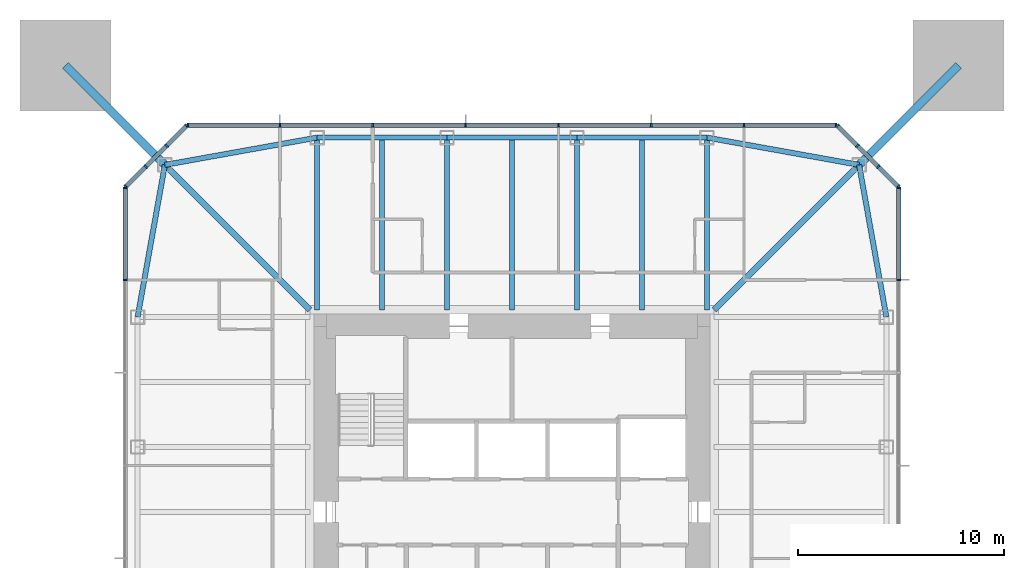
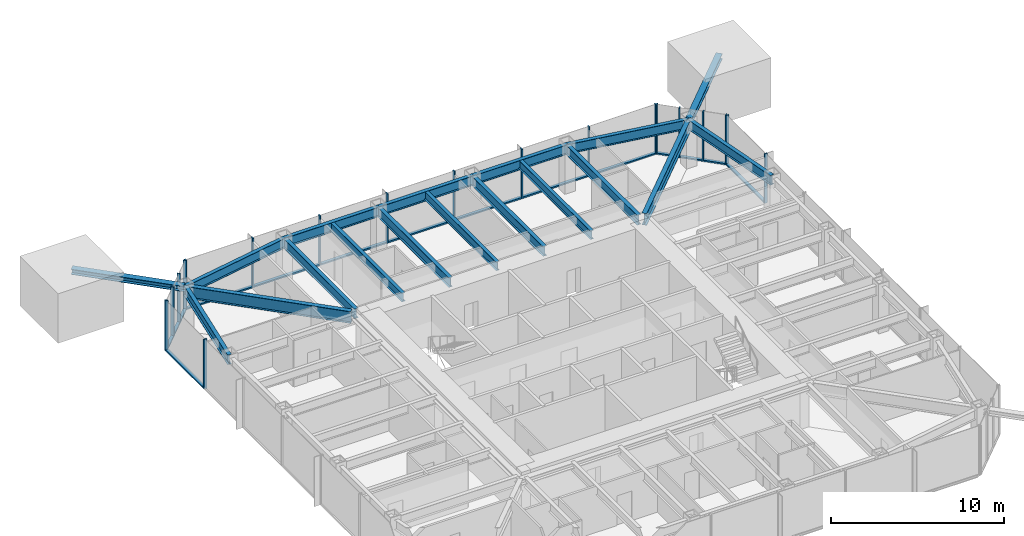
# One storey, part 4 of 11: 37 members, 16 beams, 5 elements without a shape of their own.
"""IFC4 building model written with IfcOpenShell, lengths in metres."""

import ifcopenshell
import ifcopenshell.guid

model = None  # the IFC model being written
_history = None  # IfcOwnerHistory: only IFC2X3 demands one
_inside = {}  # id of a spatial element -> (the spatial element, [elements in it])
_under = {}  # id of a project, library or spatial element -> (it, [spatial elements below it])
_declared = {}  # id of a project -> (the project, [libraries it declares])
_typed = {}  # id of a type object -> (the type object, [elements of that type])
_made_of = {}  # id of a material, layer set ... -> (it, [elements and type objects made of it])


def new_model(schema):
    """Start an empty IFC model of exactly this schema.

    Asked for "IFC4X3", IfcOpenShell would pick the latest addendum, in which some entities
    have other attributes; the version numbers below select the first issue.
    IFC2X3 requires an IfcOwnerHistory on every rooted entity: one is made here for all.
    """
    global model, _history
    if schema == "IFC4X3":
        model = ifcopenshell.file(schema_version=(4, 3, 0, 0))
    else:
        model = ifcopenshell.file(schema=schema)
    _inside.clear()
    _under.clear()
    _declared.clear()
    _typed.clear()
    _made_of.clear()
    _history = None
    if model.schema == "IFC2X3":
        org = make("IfcOrganization", Name="unknown")
        user = make(
            "IfcPersonAndOrganization",
            ThePerson=make("IfcPerson", FamilyName="unknown"),
            TheOrganization=org,
        )
        app = make(
            "IfcApplication",
            ApplicationDeveloper=org,
            Version="unknown",
            ApplicationFullName="unknown",
            ApplicationIdentifier="unknown",
        )
        _history = make(
            "IfcOwnerHistory",
            OwningUser=user,
            OwningApplication=app,
            ChangeAction="ADDED",
            CreationDate=0,
        )
    return model


def make(cls, **values):
    """One entity of the class cls with the attributes given. An attribute that is None is left unset."""
    return model.create_entity(
        cls, **{name: value for name, value in values.items() if value is not None}
    )


def rooted(cls, **values):
    """An entity with a GlobalId (a new one), such as an element, a storey or a relation."""
    return make(cls, GlobalId=ifcopenshell.guid.new(), OwnerHistory=_history, **values)


def si_unit(unit_type, name, prefix=None):
    """IfcSIUnit, for example si_unit("LENGTHUNIT", "METRE", prefix="MILLI")."""
    return make("IfcSIUnit", UnitType=unit_type, Prefix=prefix, Name=name)


def assignment(units):
    """IfcUnitAssignment: the units of a project."""
    return None if units is None else make("IfcUnitAssignment", Units=units)


def point(xyz):
    """IfcCartesianPoint."""
    return None if xyz is None else make("IfcCartesianPoint", Coordinates=xyz)


def direction(xyz):
    """IfcDirection."""
    return None if xyz is None else make("IfcDirection", DirectionRatios=xyz)


def frame(location, z_axis=None, x_axis=None):
    """IfcAxis2Placement3D, a coordinate frame: its origin and axes. An axis left out is left unset."""
    return make(
        "IfcAxis2Placement3D",
        Location=point(location),
        Axis=direction(z_axis),
        RefDirection=direction(x_axis),
    )


def frame_2d(location, x_axis=None):
    """IfcAxis2Placement2D, a coordinate frame in the plane: its origin and x axis."""
    return make(
        "IfcAxis2Placement2D", Location=point(location), RefDirection=direction(x_axis)
    )


def origin():
    """The frame at (0, 0, 0) with its axes left unset."""
    return frame((0.0, 0.0, 0.0))


def origin_2d():
    """The frame at (0, 0) in the plane with its x axis left unset."""
    return frame_2d((0.0, 0.0))


def place(relative_to, where):
    """IfcLocalPlacement: puts the frame where relative to a parent placement (None: the world)."""
    return make(
        "IfcLocalPlacement", PlacementRelTo=relative_to, RelativePlacement=where
    )


def context(
    kind, dimensions, precision=None, world=None, true_north=None, identifier=None
):
    """IfcGeometricRepresentationContext, for example the 3D "Model" context."""
    return make(
        "IfcGeometricRepresentationContext",
        ContextIdentifier=identifier,
        ContextType=kind,
        CoordinateSpaceDimension=dimensions,
        Precision=precision,
        WorldCoordinateSystem=world,
        TrueNorth=true_north,
    )


def subcontext(parent, identifier, kind, view, scale=None):
    """IfcGeometricRepresentationSubContext, for example "Body" below "Model"."""
    return make(
        "IfcGeometricRepresentationSubContext",
        ContextIdentifier=identifier,
        ContextType=kind,
        ParentContext=parent,
        TargetScale=scale,
        TargetView=view,
    )


def project(units=None, contexts=None):
    """IfcProject with its units and contexts."""
    return rooted(
        "IfcProject",
        Name="project",
        RepresentationContexts=contexts,
        UnitsInContext=assignment(units),
    )


def spatial(cls, under=None, at=None, **own):
    """A site, building, storey or space (cls), placed at a placement, below another one or the project."""
    s = rooted(cls, ObjectPlacement=at, **own)
    if under is not None:
        _under.setdefault(under.id(), (under, []))[1].append(s)
    return s


def profile(cls, at=None, kind="AREA", **sizes):
    """A parametric profile (cls). Its sizes go by their IFC names, for example OverallWidth=200.0."""
    return make(cls, ProfileType=kind, Position=at, **sizes)


def rectangle(**sizes):
    """IfcRectangleProfileDef."""
    return profile("IfcRectangleProfileDef", **sizes)


def i_section(**sizes):
    """IfcIShapeProfileDef."""
    return profile("IfcIShapeProfileDef", **sizes)


def extrude(swept, where, along, depth):
    """IfcExtrudedAreaSolid: the profile swept, set in the frame where, extruded along a direction by depth."""
    return make(
        "IfcExtrudedAreaSolid",
        SweptArea=swept,
        Position=where,
        ExtrudedDirection=direction(along),
        Depth=depth,
    )


def shape(context_of_items, identifier, shape_type, items):
    """IfcShapeRepresentation: the items that make up one representation, for example the "Body"."""
    return make(
        "IfcShapeRepresentation",
        ContextOfItems=context_of_items,
        RepresentationIdentifier=identifier,
        RepresentationType=shape_type,
        Items=items,
    )


def material(Name=None, Category=None):
    """IfcMaterial."""
    return make("IfcMaterial", Name=Name, Category=Category)


def material_profile(
    of_material, cross_section, Name=None, Category=None, Priority=None
):
    """IfcMaterialProfile: a cross section and its material."""
    return make(
        "IfcMaterialProfile",
        Name=Name,
        Material=of_material,
        Profile=cross_section,
        Priority=Priority,
        Category=Category,
    )


def profile_set(profiles, Name=None, composite=None):
    """IfcMaterialProfileSet."""
    return make(
        "IfcMaterialProfileSet",
        Name=Name,
        MaterialProfiles=profiles,
        CompositeProfile=composite,
    )


def made_of(thing, what):
    """Note that an element or type object is made of a material, layer set ...; save() writes the relation."""
    if what is not None:
        _made_of.setdefault(what.id(), (what, []))[1].append(thing)
    return thing


def type_object(cls, material=None, **own):
    """A type object (cls), such as IfcWallType, which elements share."""
    return made_of(rooted(cls, **own), material)


def element(
    cls,
    number,
    at=None,
    inside=None,
    cuts=None,
    type_object=None,
    material=None,
    context=None,
    identifier="Body",
    shape_type=None,
    held_by="IfcProductDefinitionShape",
    body=None,
    shapes=None,
    **own,
):
    """One element of the class cls, such as IfcWall. Its Tag is "e" and its number.

    at: its placement. inside: the storey or other place that contains it. cuts: it is an
    opening in that element (IfcRelVoidsElement). A single representation is given by context,
    identifier, shape_type and body (its items); several are given by shapes. held_by: the class
    of the entity that holds the representations. save() writes the other relations.
    """
    e = rooted(cls, Tag="e%d" % number, ObjectPlacement=at, **own)
    if body is not None:
        shapes = [shape(context, identifier, shape_type, body)]
    if shapes is not None:
        e.Representation = make(held_by, Representations=shapes)
    if inside is not None:
        _inside.setdefault(inside.id(), (inside, []))[1].append(e)
    if cuts is not None:
        rooted(
            "IfcRelVoidsElement", RelatingBuildingElement=cuts, RelatedOpeningElement=e
        )
    if type_object is not None:
        _typed.setdefault(type_object.id(), (type_object, []))[1].append(e)
    return made_of(e, material)


def aggregate(whole, parts):
    """IfcRelAggregates: a whole, such as a stair, and the parts it consists of."""
    return rooted("IfcRelAggregates", RelatingObject=whole, RelatedObjects=parts)


def save(model, path):
    """Write the relations noted so far, then the file.

    IfcRelAggregates (storeys below a building ...), IfcRelContainedInSpatialStructure (elements
    in a storey), IfcRelDefinesByType, IfcRelAssociatesMaterial and IfcRelDeclares: one each for
    every whole, place, type object, material and project.
    """
    for whole, parts in _under.values():
        aggregate(whole, parts)
    for where, things in _inside.values():
        rooted(
            "IfcRelContainedInSpatialStructure",
            RelatedElements=things,
            RelatingStructure=where,
        )
    for kind, things in _typed.values():
        rooted("IfcRelDefinesByType", RelatedObjects=things, RelatingType=kind)
    for what, things in _made_of.values():
        rooted("IfcRelAssociatesMaterial", RelatedObjects=things, RelatingMaterial=what)
    for by, libraries in _declared.values():
        rooted("IfcRelDeclares", RelatingContext=by, RelatedDefinitions=libraries)
    model.write(path)


model = new_model("IFC4")

# Units and contexts
model_context = context("Model", 3, precision=1e-05, world=origin(), true_north=direction((0.0, 1.0)))
body_context = subcontext(model_context, "Body", "Model", "MODEL_VIEW")
ifc_project = project(units=[si_unit("LENGTHUNIT", "METRE"), si_unit("AREAUNIT", "SQUARE_METRE"), si_unit("VOLUMEUNIT", "CUBIC_METRE"), si_unit("PLANEANGLEUNIT", "RADIAN"), si_unit("MASSUNIT", "GRAM", prefix="KILO")], contexts=[model_context])

# Site, building, storey
site_placement = place(None, origin())
site = spatial("IfcSite", under=ifc_project, at=site_placement, CompositionType="ELEMENT")
building_placement = place(site_placement, origin())
building = spatial("IfcBuilding", under=site, at=building_placement, Name="Iwan Alto Co-Living Towers", CompositionType="ELEMENT")
storey_placement = place(building_placement, frame((0.0, 0.0, 195.0)))
storey = spatial("IfcBuildingStorey", under=building, at=storey_placement, Name="L53", CompositionType="ELEMENT", Elevation=195.0)

# Curtain wall, members
ifc_material_1 = material(Name="Bronze aluminium unitised frame", Category="aluminium")
curtain_wall_type_1 = type_object("IfcCurtainWallType", Name="CURTAIN WALL CW-A", PredefinedType="NOTDEFINED", material=ifc_material_1)
curtain_wall_1_placement = place(storey_placement, origin())
curtain_wall_1 = element("IfcCurtainWall", 1, at=curtain_wall_1_placement, inside=storey, type_object=curtain_wall_type_1, Name="T1 curtain wall E L53", PredefinedType="NOTDEFINED")
ifc_material_2 = material(Name="Aluminium 6063-T6 bronze anodised", Category="aluminium")
ifc_material_profile_1 = material_profile(ifc_material_2, rectangle(XDim=0.199951171875, YDim=0.080078125, at=origin_2d()), Name="AL 80X200")
ifc_profile_set_1 = profile_set([ifc_material_profile_1], Name="Aluminium 6063-T6 bronze anodised")
member_type_1 = type_object("IfcMemberType", Name="CW-A MULLION 80X200", PredefinedType="MULLION", material=ifc_profile_set_1)
member_1_placement = place(storey_placement, frame((18.75, 11.25, 0.0), z_axis=(0.0, 0.0, 1.0), x_axis=(-1.0, 0.0, 0.0)))
member_1 = element("IfcMember", 2, at=member_1_placement, type_object=member_type_1, Name="CW-A mullion 7", PredefinedType="MULLION", context=body_context, shape_type="SweptSolid", body=[
    extrude(rectangle(XDim=0.199951171875, YDim=0.080078125, at=origin_2d()), origin(), (0.0, 0.0, 1.0), 3.5),
])
member_2_placement = place(storey_placement, frame((18.75, 15.7099609375, 0.0), z_axis=(0.0, 0.0, 1.0), x_axis=(-1.0, 0.0, 0.0)))
member_2 = element("IfcMember", 3, at=member_2_placement, type_object=member_type_1, Name="CW-A mullion 8", PredefinedType="MULLION", context=body_context, shape_type="SweptSolid", body=[
    extrude(rectangle(XDim=0.199951171875, YDim=0.080078125, at=origin_2d()), origin(), (0.0, 0.0, 1.0), 3.5),
])

curtain_wall_2_placement = place(storey_placement, origin())
curtain_wall_2 = element("IfcCurtainWall", 4, at=curtain_wall_2_placement, inside=storey, type_object=curtain_wall_type_1, Name="T1 curtain wall N L53", PredefinedType="NOTDEFINED")
member_3_placement = place(storey_placement, frame((15.7099609375, 18.75, 0.0), z_axis=(0.0, 0.0, 1.0), x_axis=(0.0, -1.0, 0.0)))
member_3 = element("IfcMember", 5, at=member_3_placement, type_object=member_type_1, Name="CW-A mullion 1", PredefinedType="MULLION", context=body_context, shape_type="SweptSolid", body=[
    extrude(rectangle(XDim=0.199951171875, YDim=0.080078125, at=origin_2d()), origin(), (0.0, 0.0, 1.0), 3.5),
])
member_4_placement = place(storey_placement, frame((11.25, 18.75, 0.0), z_axis=(0.0, 0.0, 1.0), x_axis=(0.0, -1.0, 0.0)))
member_4 = element("IfcMember", 6, at=member_4_placement, type_object=member_type_1, Name="CW-A mullion 2", PredefinedType="MULLION", context=body_context, shape_type="SweptSolid", body=[
    extrude(rectangle(XDim=0.199951171875, YDim=0.080078125, at=origin_2d()), origin(), (0.0, 0.0, 1.0), 3.5),
])
member_5_placement = place(storey_placement, frame((6.75, 18.75, 0.0), z_axis=(0.0, 0.0, 1.0), x_axis=(0.0, -1.0, 0.0)))
member_5 = element("IfcMember", 7, at=member_5_placement, type_object=member_type_1, Name="CW-A mullion 3", PredefinedType="MULLION", context=body_context, shape_type="SweptSolid", body=[
    extrude(rectangle(XDim=0.199951171875, YDim=0.080078125, at=origin_2d()), origin(), (0.0, 0.0, 1.0), 3.5),
])
member_6_placement = place(storey_placement, frame((2.25, 18.75, 0.0), z_axis=(0.0, 0.0, 1.0), x_axis=(0.0, -1.0, 0.0)))
member_6 = element("IfcMember", 8, at=member_6_placement, type_object=member_type_1, Name="CW-A mullion 4", PredefinedType="MULLION", context=body_context, shape_type="SweptSolid", body=[
    extrude(rectangle(XDim=0.199951171875, YDim=0.080078125, at=origin_2d()), origin(), (0.0, 0.0, 1.0), 3.5),
])
member_7_placement = place(storey_placement, frame((-2.25, 18.75, 0.0), z_axis=(0.0, 0.0, 1.0), x_axis=(0.0, -1.0, 0.0)))
member_7 = element("IfcMember", 9, at=member_7_placement, type_object=member_type_1, Name="CW-A mullion 5", PredefinedType="MULLION", context=body_context, shape_type="SweptSolid", body=[
    extrude(rectangle(XDim=0.199951171875, YDim=0.080078125, at=origin_2d()), origin(), (0.0, 0.0, 1.0), 3.5),
])
member_8_placement = place(storey_placement, frame((-6.75, 18.75, 0.0), z_axis=(0.0, 0.0, 1.0), x_axis=(0.0, -1.0, 0.0)))
member_8 = element("IfcMember", 10, at=member_8_placement, type_object=member_type_1, Name="CW-A mullion 6", PredefinedType="MULLION", context=body_context, shape_type="SweptSolid", body=[
    extrude(rectangle(XDim=0.199951171875, YDim=0.080078125, at=origin_2d()), origin(), (0.0, 0.0, 1.0), 3.5),
])
member_9_placement = place(storey_placement, frame((-11.25, 18.75, 0.0), z_axis=(0.0, 0.0, 1.0), x_axis=(0.0, -1.0, 0.0)))
member_9 = element("IfcMember", 11, at=member_9_placement, type_object=member_type_1, Name="CW-A mullion 7", PredefinedType="MULLION", context=body_context, shape_type="SweptSolid", body=[
    extrude(rectangle(XDim=0.199951171875, YDim=0.080078125, at=origin_2d()), origin(), (0.0, 0.0, 1.0), 3.5),
])
member_10_placement = place(storey_placement, frame((-15.7099609375, 18.75, 0.0), z_axis=(0.0, 0.0, 1.0), x_axis=(0.0, -1.0, 0.0)))
member_10 = element("IfcMember", 12, at=member_10_placement, type_object=member_type_1, Name="CW-A mullion 8", PredefinedType="MULLION", context=body_context, shape_type="SweptSolid", body=[
    extrude(rectangle(XDim=0.199951171875, YDim=0.080078125, at=origin_2d()), origin(), (0.0, 0.0, 1.0), 3.5),
])

curtain_wall_3_placement = place(storey_placement, origin())
curtain_wall_3 = element("IfcCurtainWall", 13, at=curtain_wall_3_placement, inside=storey, type_object=curtain_wall_type_1, Name="T1 curtain wall W L53", PredefinedType="NOTDEFINED")
member_11_placement = place(storey_placement, frame((-18.75, 15.7099609375, 0.0), z_axis=(0.0, 0.0, 1.0), x_axis=(1.0, 0.0, 0.0)))
member_11 = element("IfcMember", 14, at=member_11_placement, type_object=member_type_1, Name="CW-A mullion 1", PredefinedType="MULLION", context=body_context, shape_type="SweptSolid", body=[
    extrude(rectangle(XDim=0.199951171875, YDim=0.080078125, at=origin_2d()), origin(), (0.0, 0.0, 1.0), 3.5),
])
member_12_placement = place(storey_placement, frame((-18.75, 11.25, 0.0), z_axis=(0.0, 0.0, 1.0), x_axis=(1.0, 0.0, 0.0)))
member_12 = element("IfcMember", 15, at=member_12_placement, type_object=member_type_1, Name="CW-A mullion 2", PredefinedType="MULLION", context=body_context, shape_type="SweptSolid", body=[
    extrude(rectangle(XDim=0.199951171875, YDim=0.080078125, at=origin_2d()), origin(), (0.0, 0.0, 1.0), 3.5),
])

# Member
ifc_material_3 = material(Name="Aluminium 6063-T6 bronze anodised", Category="aluminium")
ifc_material_profile_2 = material_profile(ifc_material_3, rectangle(XDim=0.199951171875, YDim=0.10009765625, at=origin_2d()), Name="AL 200X100")
ifc_profile_set_2 = profile_set([ifc_material_profile_2], Name="Aluminium 6063-T6 bronze anodised")
member_type_2 = type_object("IfcMemberType", Name="CW-A TRANSOM 200X100", PredefinedType="USERDEFINED", material=ifc_profile_set_2)
member_13_placement = place(storey_placement, frame((18.75, 11.2900390625, 0.050048828125), z_axis=(0.0, 1.0, 0.0), x_axis=(-1.0, 0.0, 0.0)))
member_13 = element("IfcMember", 16, at=member_13_placement, type_object=member_type_2, Name="CW-A transom 7.1", ObjectType="TRANSOM", PredefinedType="USERDEFINED", context=body_context, shape_type="SweptSolid", body=[
    extrude(rectangle(XDim=0.199951171875, YDim=0.10009765625, at=origin_2d()), origin(), (0.0, 0.0, 1.0), 4.3798828125),
])

aggregate(curtain_wall_1, [member_1, member_2, member_13])

member_14_placement = place(storey_placement, frame((15.669921875, 18.75, 0.050048828125), z_axis=(-1.0, 0.0, 0.0), x_axis=(0.0, -1.0, 0.0)))
member_14 = element("IfcMember", 17, at=member_14_placement, type_object=member_type_2, Name="CW-A transom 1.1", ObjectType="TRANSOM", PredefinedType="USERDEFINED", context=body_context, shape_type="SweptSolid", body=[
    extrude(rectangle(XDim=0.199951171875, YDim=0.10009765625, at=origin_2d()), origin(), (0.0, 0.0, 1.0), 4.3798828125),
])

member_15_placement = place(storey_placement, frame((11.2099609375, 18.75, 0.050048828125), z_axis=(-1.0, 0.0, 0.0), x_axis=(0.0, -1.0, 0.0)))
member_15 = element("IfcMember", 18, at=member_15_placement, type_object=member_type_2, Name="CW-A transom 2.1", ObjectType="TRANSOM", PredefinedType="USERDEFINED", context=body_context, shape_type="SweptSolid", body=[
    extrude(rectangle(XDim=0.199951171875, YDim=0.10009765625, at=origin_2d()), origin(), (0.0, 0.0, 1.0), 4.419921875),
])

member_16_placement = place(storey_placement, frame((6.7099609375, 18.75, 0.050048828125), z_axis=(-1.0, 0.0, 0.0), x_axis=(0.0, -1.0, 0.0)))
member_16 = element("IfcMember", 19, at=member_16_placement, type_object=member_type_2, Name="CW-A transom 3.1", ObjectType="TRANSOM", PredefinedType="USERDEFINED", context=body_context, shape_type="SweptSolid", body=[
    extrude(rectangle(XDim=0.199951171875, YDim=0.10009765625, at=origin_2d()), origin(), (0.0, 0.0, 1.0), 4.419921875),
])

member_17_placement = place(storey_placement, frame((2.2099609375, 18.75, 0.050048828125), z_axis=(-1.0, 0.0, 0.0), x_axis=(0.0, -1.0, 0.0)))
member_17 = element("IfcMember", 20, at=member_17_placement, type_object=member_type_2, Name="CW-A transom 4.1", ObjectType="TRANSOM", PredefinedType="USERDEFINED", context=body_context, shape_type="SweptSolid", body=[
    extrude(rectangle(XDim=0.199951171875, YDim=0.10009765625, at=origin_2d()), origin(), (0.0, 0.0, 1.0), 4.419921875),
])

member_18_placement = place(storey_placement, frame((-2.2900390625, 18.75, 0.050048828125), z_axis=(-1.0, 0.0, 0.0), x_axis=(0.0, -1.0, 0.0)))
member_18 = element("IfcMember", 21, at=member_18_placement, type_object=member_type_2, Name="CW-A transom 5.1", ObjectType="TRANSOM", PredefinedType="USERDEFINED", context=body_context, shape_type="SweptSolid", body=[
    extrude(rectangle(XDim=0.199951171875, YDim=0.10009765625, at=origin_2d()), origin(), (0.0, 0.0, 1.0), 4.419921875),
])

member_19_placement = place(storey_placement, frame((-6.7900390625, 18.75, 0.050048828125), z_axis=(-1.0, 0.0, 0.0), x_axis=(0.0, -1.0, 0.0)))
member_19 = element("IfcMember", 22, at=member_19_placement, type_object=member_type_2, Name="CW-A transom 6.1", ObjectType="TRANSOM", PredefinedType="USERDEFINED", context=body_context, shape_type="SweptSolid", body=[
    extrude(rectangle(XDim=0.199951171875, YDim=0.10009765625, at=origin_2d()), origin(), (0.0, 0.0, 1.0), 4.419921875),
])

member_20_placement = place(storey_placement, frame((-11.2900390625, 18.75, 0.050048828125), z_axis=(-1.0, 0.0, 0.0), x_axis=(0.0, -1.0, 0.0)))
member_20 = element("IfcMember", 23, at=member_20_placement, type_object=member_type_2, Name="CW-A transom 7.1", ObjectType="TRANSOM", PredefinedType="USERDEFINED", context=body_context, shape_type="SweptSolid", body=[
    extrude(rectangle(XDim=0.199951171875, YDim=0.10009765625, at=origin_2d()), origin(), (0.0, 0.0, 1.0), 4.3798828125),
])

aggregate(curtain_wall_2, [member_3, member_4, member_5, member_6, member_7, member_8, member_9, member_10, member_14, member_15, member_16, member_17, member_18, member_19, member_20])

member_21_placement = place(storey_placement, frame((-18.75, 15.669921875, 0.050048828125), z_axis=(0.0, -1.0, 0.0), x_axis=(1.0, 0.0, 0.0)))
member_21 = element("IfcMember", 24, at=member_21_placement, type_object=member_type_2, Name="CW-A transom 1.1", ObjectType="TRANSOM", PredefinedType="USERDEFINED", context=body_context, shape_type="SweptSolid", body=[
    extrude(rectangle(XDim=0.199951171875, YDim=0.10009765625, at=origin_2d()), origin(), (0.0, 0.0, 1.0), 4.3798828125),
])

aggregate(curtain_wall_3, [member_11, member_12, member_21])

# Curtain wall, members
ifc_material_4 = material(Name="Bronze aluminium unitised frame", Category="aluminium")
curtain_wall_type_2 = type_object("IfcCurtainWallType", Name="CURTAIN WALL CW-B", PredefinedType="NOTDEFINED", material=ifc_material_4)
curtain_wall_4_placement = place(storey_placement, origin())
curtain_wall_4 = element("IfcCurtainWall", 25, at=curtain_wall_4_placement, inside=storey, type_object=curtain_wall_type_2, Name="T1 chamfer curtain wall NE L53", PredefinedType="NOTDEFINED")
ifc_material_5 = material(Name="Aluminium 6063-T6 bronze anodised", Category="aluminium")
ifc_material_profile_3 = material_profile(ifc_material_5, rectangle(XDim=0.199951171875, YDim=0.080078125, at=origin_2d()), Name="AL 80X200")
ifc_profile_set_3 = profile_set([ifc_material_profile_3], Name="Aluminium 6063-T6 bronze anodised")
member_type_3 = type_object("IfcMemberType", Name="CW-B MULLION 80X200", PredefinedType="MULLION", material=ifc_profile_set_3)
member_22_placement = place(storey_placement, frame((18.7216796875, 15.7783203125, 0.0), z_axis=(0.0, 0.0, 1.0), x_axis=(-0.707106781187, -0.707106781187, 0.0)))
member_22 = element("IfcMember", 26, at=member_22_placement, type_object=member_type_3, Name="CW-B mullion 1", PredefinedType="MULLION", context=body_context, shape_type="SweptSolid", body=[
    extrude(rectangle(XDim=0.199951171875, YDim=0.080078125, at=origin_2d()), origin(), (0.0, 0.0, 1.0), 3.5),
])
member_23_placement = place(storey_placement, frame((17.75, 16.75, 0.0), z_axis=(0.0, 0.0, 1.0), x_axis=(-0.707106781187, -0.707106781187, 0.0)))
member_23 = element("IfcMember", 27, at=member_23_placement, type_object=member_type_3, Name="CW-B mullion 2", PredefinedType="MULLION", context=body_context, shape_type="SweptSolid", body=[
    extrude(rectangle(XDim=0.199951171875, YDim=0.080078125, at=origin_2d()), origin(), (0.0, 0.0, 1.0), 3.5),
])
member_24_placement = place(storey_placement, frame((16.75, 17.75, 0.0), z_axis=(0.0, 0.0, 1.0), x_axis=(-0.707106781187, -0.707106781187, 0.0)))
member_24 = element("IfcMember", 28, at=member_24_placement, type_object=member_type_3, Name="CW-B mullion 3", PredefinedType="MULLION", context=body_context, shape_type="SweptSolid", body=[
    extrude(rectangle(XDim=0.199951171875, YDim=0.080078125, at=origin_2d()), origin(), (0.0, 0.0, 1.0), 3.5),
])
member_25_placement = place(storey_placement, frame((15.7783203125, 18.7216796875, 0.0), z_axis=(0.0, 0.0, 1.0), x_axis=(-0.707106781187, -0.707106781187, 0.0)))
member_25 = element("IfcMember", 29, at=member_25_placement, type_object=member_type_3, Name="CW-B mullion 4", PredefinedType="MULLION", context=body_context, shape_type="SweptSolid", body=[
    extrude(rectangle(XDim=0.199951171875, YDim=0.080078125, at=origin_2d()), origin(), (0.0, 0.0, 1.0), 3.5),
])

curtain_wall_5_placement = place(storey_placement, origin())
curtain_wall_5 = element("IfcCurtainWall", 30, at=curtain_wall_5_placement, inside=storey, type_object=curtain_wall_type_2, Name="T1 chamfer curtain wall NW L53", PredefinedType="NOTDEFINED")
member_26_placement = place(storey_placement, frame((-15.7783203125, 18.7216796875, 0.0), z_axis=(0.0, 0.0, 1.0), x_axis=(0.707106781187, -0.707106781187, 0.0)))
member_26 = element("IfcMember", 31, at=member_26_placement, type_object=member_type_3, Name="CW-B mullion 1", PredefinedType="MULLION", context=body_context, shape_type="SweptSolid", body=[
    extrude(rectangle(XDim=0.199951171875, YDim=0.080078125, at=origin_2d()), origin(), (0.0, 0.0, 1.0), 3.5),
])
member_27_placement = place(storey_placement, frame((-16.75, 17.75, 0.0), z_axis=(0.0, 0.0, 1.0), x_axis=(0.707106781187, -0.707106781187, 0.0)))
member_27 = element("IfcMember", 32, at=member_27_placement, type_object=member_type_3, Name="CW-B mullion 2", PredefinedType="MULLION", context=body_context, shape_type="SweptSolid", body=[
    extrude(rectangle(XDim=0.199951171875, YDim=0.080078125, at=origin_2d()), origin(), (0.0, 0.0, 1.0), 3.5),
])
member_28_placement = place(storey_placement, frame((-17.75, 16.75, 0.0), z_axis=(0.0, 0.0, 1.0), x_axis=(0.707106781187, -0.707106781187, 0.0)))
member_28 = element("IfcMember", 33, at=member_28_placement, type_object=member_type_3, Name="CW-B mullion 3", PredefinedType="MULLION", context=body_context, shape_type="SweptSolid", body=[
    extrude(rectangle(XDim=0.199951171875, YDim=0.080078125, at=origin_2d()), origin(), (0.0, 0.0, 1.0), 3.5),
])
member_29_placement = place(storey_placement, frame((-18.7216796875, 15.7783203125, 0.0), z_axis=(0.0, 0.0, 1.0), x_axis=(0.707106781187, -0.707106781187, 0.0)))
member_29 = element("IfcMember", 34, at=member_29_placement, type_object=member_type_3, Name="CW-B mullion 4", PredefinedType="MULLION", context=body_context, shape_type="SweptSolid", body=[
    extrude(rectangle(XDim=0.199951171875, YDim=0.080078125, at=origin_2d()), origin(), (0.0, 0.0, 1.0), 3.5),
])

# Member
ifc_material_6 = material(Name="Aluminium 6063-T6 bronze anodised", Category="aluminium")
ifc_material_profile_4 = material_profile(ifc_material_6, rectangle(XDim=0.199951171875, YDim=0.10009765625, at=origin_2d()), Name="AL 200X100")
ifc_profile_set_4 = profile_set([ifc_material_profile_4], Name="Aluminium 6063-T6 bronze anodised")
member_type_4 = type_object("IfcMemberType", Name="CW-B TRANSOM 200X100", PredefinedType="USERDEFINED", material=ifc_profile_set_4)
member_30_placement = place(storey_placement, frame((18.693359375, 15.806640625, 0.050048828125), z_axis=(-0.707106781187, 0.707106781187, 0.0), x_axis=(-0.707106781187, -0.707106781187, 0.0)))
member_30 = element("IfcMember", 35, at=member_30_placement, type_object=member_type_4, Name="CW-B transom 1.1", ObjectType="TRANSOM", PredefinedType="USERDEFINED", context=body_context, shape_type="SweptSolid", body=[
    extrude(rectangle(XDim=0.199951171875, YDim=0.10009765625, at=origin_2d()), origin(), (0.0, 0.0, 1.0), 1.2939453125),
])

member_31_placement = place(storey_placement, frame((17.7216796875, 16.7783203125, 0.050048828125), z_axis=(-0.707106781187, 0.707106781187, 0.0), x_axis=(-0.707106781187, -0.707106781187, 0.0)))
member_31 = element("IfcMember", 36, at=member_31_placement, type_object=member_type_4, Name="CW-B transom 2.1", ObjectType="TRANSOM", PredefinedType="USERDEFINED", context=body_context, shape_type="SweptSolid", body=[
    extrude(rectangle(XDim=0.199951171875, YDim=0.10009765625, at=origin_2d()), origin(), (0.0, 0.0, 1.0), 1.334228515625),
])

member_32_placement = place(storey_placement, frame((16.7216796875, 17.7783203125, 0.050048828125), z_axis=(-0.707106781187, 0.707106781187, 0.0), x_axis=(-0.707106781187, -0.707106781187, 0.0)))
member_32 = element("IfcMember", 37, at=member_32_placement, type_object=member_type_4, Name="CW-B transom 3.1", ObjectType="TRANSOM", PredefinedType="USERDEFINED", context=body_context, shape_type="SweptSolid", body=[
    extrude(rectangle(XDim=0.199951171875, YDim=0.10009765625, at=origin_2d()), origin(), (0.0, 0.0, 1.0), 1.2939453125),
])

aggregate(curtain_wall_4, [member_22, member_23, member_24, member_25, member_30, member_31, member_32])

member_33_placement = place(storey_placement, frame((-15.806640625, 18.693359375, 0.050048828125), z_axis=(-0.707106781187, -0.707106781187, 0.0), x_axis=(0.707106781187, -0.707106781187, 0.0)))
member_33 = element("IfcMember", 38, at=member_33_placement, type_object=member_type_4, Name="CW-B transom 1.1", ObjectType="TRANSOM", PredefinedType="USERDEFINED", context=body_context, shape_type="SweptSolid", body=[
    extrude(rectangle(XDim=0.199951171875, YDim=0.10009765625, at=origin_2d()), origin(), (0.0, 0.0, 1.0), 1.2939453125),
])

member_34_placement = place(storey_placement, frame((-16.7783203125, 17.7216796875, 0.050048828125), z_axis=(-0.707106781187, -0.707106781187, 0.0), x_axis=(0.707106781187, -0.707106781187, 0.0)))
member_34 = element("IfcMember", 39, at=member_34_placement, type_object=member_type_4, Name="CW-B transom 2.1", ObjectType="TRANSOM", PredefinedType="USERDEFINED", context=body_context, shape_type="SweptSolid", body=[
    extrude(rectangle(XDim=0.199951171875, YDim=0.10009765625, at=origin_2d()), origin(), (0.0, 0.0, 1.0), 1.334228515625),
])

member_35_placement = place(storey_placement, frame((-17.7783203125, 16.7216796875, 0.050048828125), z_axis=(-0.707106781187, -0.707106781187, 0.0), x_axis=(0.707106781187, -0.707106781187, 0.0)))
member_35 = element("IfcMember", 40, at=member_35_placement, type_object=member_type_4, Name="CW-B transom 3.1", ObjectType="TRANSOM", PredefinedType="USERDEFINED", context=body_context, shape_type="SweptSolid", body=[
    extrude(rectangle(XDim=0.199951171875, YDim=0.10009765625, at=origin_2d()), origin(), (0.0, 0.0, 1.0), 1.2939453125),
])

aggregate(curtain_wall_5, [member_26, member_27, member_28, member_29, member_33, member_34, member_35])

# Beams
ifc_material_7 = material(Name="Steel ASTM A992 Gr 50", Category="steel")
ifc_material_profile_5 = material_profile(ifc_material_7, i_section(OverallWidth=0.2919921875, OverallDepth=0.8408203125, WebThickness=0.0146484375, FlangeThickness=0.021728515625, at=origin_2d()), Name="W33X130")
ifc_profile_set_5 = profile_set([ifc_material_profile_5], Name="Steel ASTM A992 Gr 50")
beam_type_1 = type_object("IfcBeamType", Name="T1 CORNER GIRDER W33X130", PredefinedType="BEAM", material=ifc_profile_set_5)
for number, where, z_axis, x_axis, name in (
    (41, (16.82568359375, 16.82568359375, 2.849609375), (-0.707106781187, -0.707106781187, 0.0), (0.707106781187, -0.707106781187, 0.0), "T1 corner girder CNE L54"),
    (42, (-16.82568359375, 16.82568359375, 2.849609375), (0.707106781187, -0.707106781187, 0.0), (0.707106781187, 0.707106781187, 0.0), "T1 corner girder CNW L54"),
):
    element("IfcBeam", number, at=place(storey_placement, frame(where, z_axis=z_axis, x_axis=x_axis)), inside=storey, type_object=beam_type_1, Name=name, PredefinedType="BEAM", context=body_context, shape_type="SweptSolid", body=[
        extrude(i_section(OverallWidth=0.2919921875, OverallDepth=0.8408203125, WebThickness=0.0146484375, FlangeThickness=0.021728515625, at=origin_2d()), origin(), (0.0, 0.0, 1.0), 9.936767578125),
    ])
ifc_material_8 = material(Name="Steel ASTM A992 Gr 50", Category="steel")
ifc_material_profile_6 = material_profile(ifc_material_8, i_section(OverallWidth=0.25390625, OverallDepth=0.683349609375, WebThickness=0.012451171875, FlangeThickness=0.018798828125, at=origin_2d()), Name="W27X94")
ifc_profile_set_6 = profile_set([ifc_material_profile_6], Name="Steel ASTM A992 Gr 50")
beam_type_2 = type_object("IfcBeamType", Name="T1 EDGE BEAM W27X94", PredefinedType="BEAM", material=ifc_profile_set_6)
for number, where, z_axis, x_axis, name in (
    (43, (18.14990234375, 9.449951171875, 2.928466796875), (-0.17671181143, 0.98426263553, 0.0), (-0.98426263553, -0.17671181143, 0.0), "T1 edge beam E4 L54"),
    (44, (16.82568359375, 16.82568359375, 2.928466796875), (-0.98426263553, 0.17671181143, 0.0), (-0.17671181143, -0.98426263553, 0.0), "T1 edge beam CNE L54"),
):
    element("IfcBeam", number, at=place(storey_placement, frame(where, z_axis=z_axis, x_axis=x_axis)), inside=storey, type_object=beam_type_2, Name=name, PredefinedType="BEAM", context=body_context, shape_type="SweptSolid", body=[
        extrude(i_section(OverallWidth=0.25390625, OverallDepth=0.683349609375, WebThickness=0.012451171875, FlangeThickness=0.018798828125, at=origin_2d()), origin(), (0.0, 0.0, 1.0), 7.49365234375),
    ])
beam_1_placement = place(storey_placement, frame((9.449951171875, 18.14990234375, 2.928466796875), z_axis=(-1.0, 0.0, 0.0), x_axis=(0.0, -1.0, 0.0)))
element("IfcBeam", 45, at=beam_1_placement, inside=storey, type_object=beam_type_2, Name="T1 edge beam N1 L54", PredefinedType="BEAM", context=body_context, shape_type="SweptSolid", body=[
    extrude(i_section(OverallWidth=0.25390625, OverallDepth=0.683349609375, WebThickness=0.012451171875, FlangeThickness=0.018798828125, at=origin_2d()), origin(), (0.0, 0.0, 1.0), 6.300048828125),
])
beam_2_placement = place(storey_placement, frame((3.14990234375, 18.14990234375, 2.928466796875), z_axis=(-1.0, 0.0, 0.0), x_axis=(0.0, -1.0, 0.0)))
element("IfcBeam", 46, at=beam_2_placement, inside=storey, type_object=beam_type_2, Name="T1 edge beam N2 L54", PredefinedType="BEAM", context=body_context, shape_type="SweptSolid", body=[
    extrude(i_section(OverallWidth=0.25390625, OverallDepth=0.683349609375, WebThickness=0.012451171875, FlangeThickness=0.018798828125, at=origin_2d()), origin(), (0.0, 0.0, 1.0), 6.2998046875),
])
beam_3_placement = place(storey_placement, frame((-3.14990234375, 18.14990234375, 2.928466796875), z_axis=(-1.0, 0.0, 0.0), x_axis=(0.0, -1.0, 0.0)))
element("IfcBeam", 47, at=beam_3_placement, inside=storey, type_object=beam_type_2, Name="T1 edge beam N3 L54", PredefinedType="BEAM", context=body_context, shape_type="SweptSolid", body=[
    extrude(i_section(OverallWidth=0.25390625, OverallDepth=0.683349609375, WebThickness=0.012451171875, FlangeThickness=0.018798828125, at=origin_2d()), origin(), (0.0, 0.0, 1.0), 6.300048828125),
])
for number, where, z_axis, x_axis, name in (
    (48, (-9.449951171875, 18.14990234375, 2.928466796875), (-0.98426263553, -0.17671181143, 0.0), (0.17671181143, -0.98426263553, 0.0), "T1 edge beam N4 L54"),
    (49, (-16.82568359375, 16.82568359375, 2.928466796875), (-0.17671181143, -0.98426263553, 0.0), (0.98426263553, -0.17671181143, 0.0), "T1 edge beam CNW L54"),
):
    element("IfcBeam", number, at=place(storey_placement, frame(where, z_axis=z_axis, x_axis=x_axis)), inside=storey, type_object=beam_type_2, Name=name, PredefinedType="BEAM", context=body_context, shape_type="SweptSolid", body=[
        extrude(i_section(OverallWidth=0.25390625, OverallDepth=0.683349609375, WebThickness=0.012451171875, FlangeThickness=0.018798828125, at=origin_2d()), origin(), (0.0, 0.0, 1.0), 7.49365234375),
    ])

# Members
ifc_material_9 = material(Name="Steel ASTM A992 Gr 50", Category="steel")
ifc_material_profile_7 = material_profile(ifc_material_9, i_section(OverallWidth=0.393798828125, OverallDepth=0.3759765625, WebThickness=0.017333984375, FlangeThickness=0.027587890625, at=origin_2d()), Name="W14X145")
ifc_profile_set_7 = profile_set([ifc_material_profile_7], Name="Steel ASTM A992 Gr 50")
member_type_5 = type_object("IfcMemberType", Name="T1 MEGA COLUMN FLOOR TIE W14X145", PredefinedType="STRUT", material=ifc_profile_set_7)
for number, where, z_axis, x_axis, name in (
    (50, (21.64990234375, 21.64990234375, 3.08203125), (-0.707106781187, -0.707106781187, 0.0), (0.707106781187, -0.707106781187, 0.0), "T1 mega column floor tie NE L54"),
    (51, (-21.64990234375, 21.64990234375, 3.08203125), (0.707106781187, -0.707106781187, 0.0), (0.707106781187, 0.707106781187, 0.0), "T1 mega column floor tie NW L54"),
):
    element("IfcMember", number, at=place(storey_placement, frame(where, z_axis=z_axis, x_axis=x_axis)), inside=storey, type_object=member_type_5, Name=name, PredefinedType="STRUT", context=body_context, shape_type="SweptSolid", body=[
        extrude(i_section(OverallWidth=0.393798828125, OverallDepth=0.3759765625, WebThickness=0.017333984375, FlangeThickness=0.027587890625, at=origin_2d()), origin(), (0.0, 0.0, 1.0), 6.822509765625),
    ])

# Beams
ifc_material_10 = material(Name="Steel ASTM A992 Gr 50", Category="steel")
ifc_material_profile_8 = material_profile(ifc_material_10, i_section(OverallWidth=0.25390625, OverallDepth=0.683349609375, WebThickness=0.012451171875, FlangeThickness=0.018798828125, at=origin_2d()), Name="W27X94")
ifc_profile_set_8 = profile_set([ifc_material_profile_8], Name="Steel ASTM A992 Gr 50")
beam_type_3 = type_object("IfcBeamType", Name="T1 RADIAL BEAM W27X94", PredefinedType="BEAM", material=ifc_profile_set_8)
for number, where, z_axis, x_axis, name in (
    (52, (9.449951171875, 18.14990234375, 2.928466796875), (0.0, -1.0, 0.0), (1.0, 0.0, 0.0), "T1 radial beam N1 L54"),
    (53, (3.14990234375, 18.14990234375, 2.928466796875), (0.0, -1.0, 0.0), (1.0, 0.0, 0.0), "T1 radial beam N2 L54"),
    (54, (-3.14990234375, 18.14990234375, 2.928466796875), (0.0, -1.0, 0.0), (1.0, 0.0, 0.0), "T1 radial beam N3 L54"),
    (55, (-9.449951171875, 18.14990234375, 2.928466796875), (0.0, -1.0, 0.0), (1.0, 0.0, 0.0), "T1 radial beam N4 L54"),
):
    element("IfcBeam", number, at=place(storey_placement, frame(where, z_axis=z_axis, x_axis=x_axis)), inside=storey, type_object=beam_type_3, Name=name, PredefinedType="BEAM", context=body_context, shape_type="SweptSolid", body=[
        extrude(i_section(OverallWidth=0.25390625, OverallDepth=0.683349609375, WebThickness=0.012451171875, FlangeThickness=0.018798828125, at=origin_2d()), origin(), (0.0, 0.0, 1.0), 8.3505859375),
    ])
ifc_material_11 = material(Name="Steel ASTM A992 Gr 50", Category="steel")
ifc_material_profile_9 = material_profile(ifc_material_11, i_section(OverallWidth=0.228271484375, OverallDepth=0.607177734375, WebThickness=0.01123046875, FlangeThickness=0.017333984375, at=origin_2d()), Name="W24X76")
ifc_profile_set_9 = profile_set([ifc_material_profile_9], Name="Steel ASTM A992 Gr 50")
beam_type_4 = type_object("IfcBeamType", Name="T1 SECONDARY BEAM W24X76", PredefinedType="JOIST", material=ifc_profile_set_9)
for number, where, z_axis, x_axis, name in (
    (56, (6.300048828125, 18.14990234375, 2.966552734375), (0.0, -1.0, 0.0), (1.0, 0.0, 0.0), "T1 secondary beam N1 L54"),
    (57, (0.0, 18.14990234375, 2.966552734375), (0.0, -1.0, 0.0), (1.0, 0.0, 0.0), "T1 secondary beam N2 L54"),
    (58, (-6.300048828125, 18.14990234375, 2.966552734375), (0.0, -1.0, 0.0), (1.0, 0.0, 0.0), "T1 secondary beam N3 L54"),
):
    element("IfcBeam", number, at=place(storey_placement, frame(where, z_axis=z_axis, x_axis=x_axis)), inside=storey, type_object=beam_type_4, Name=name, PredefinedType="JOIST", context=body_context, shape_type="SweptSolid", body=[
        extrude(i_section(OverallWidth=0.228271484375, OverallDepth=0.607177734375, WebThickness=0.01123046875, FlangeThickness=0.017333984375, at=origin_2d()), origin(), (0.0, 0.0, 1.0), 8.3505859375),
    ])

save(model, "model.ifc")
